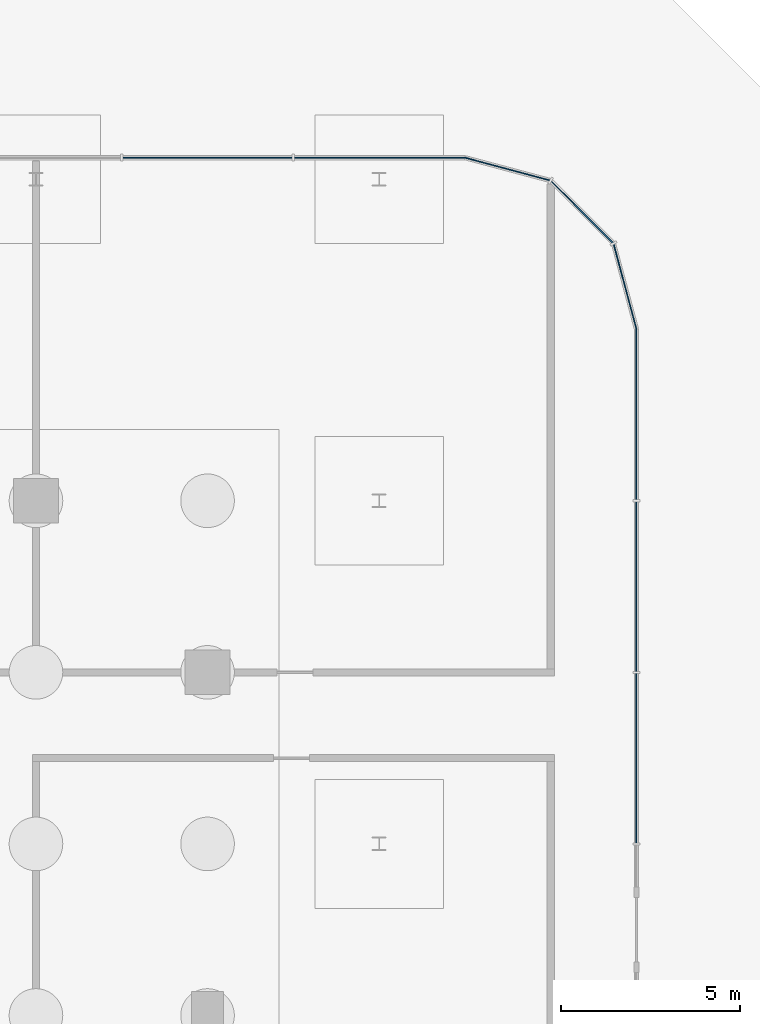
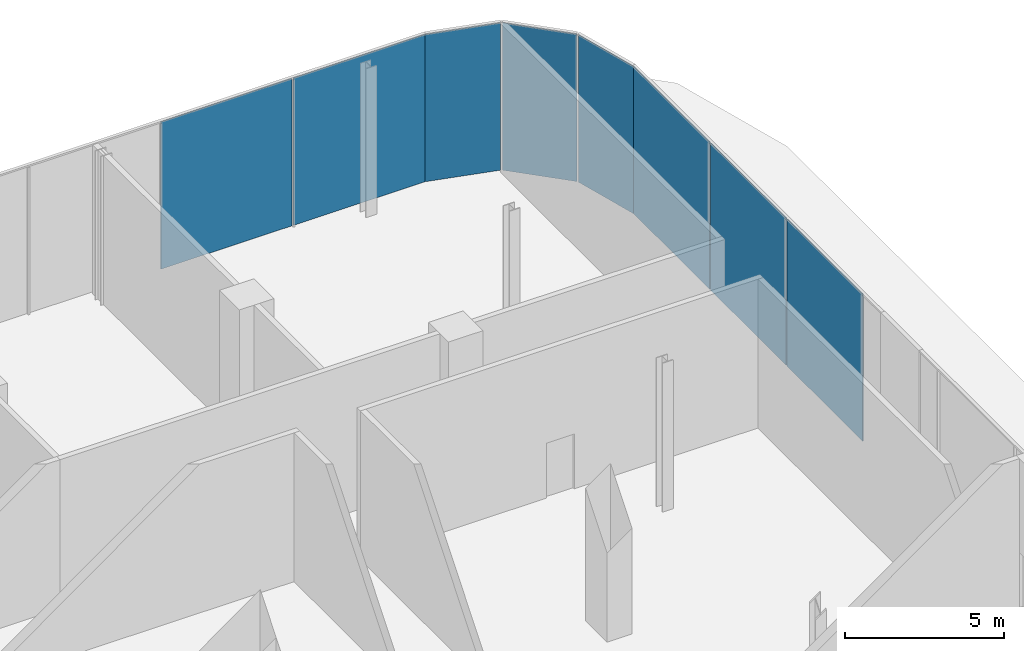
# One storey, part 28 of 44: 8 plates, 3 elements without a shape of their own.
"""IFC4 building model written with IfcOpenShell, lengths in metres."""

from ifc_helpers import new_model, si_unit, direction, frame, origin, origin_2d, place, context, subcontext, project, spatial, rectangle, extrude, material, layer, layer_set, type_object, element, aggregate, save


model = new_model("IFC4")

# Units and contexts
model_context = context("Model", 3, precision=1e-05, world=origin(), true_north=direction((0.0, 1.0)))
body_context = subcontext(model_context, "Body", "Model", "MODEL_VIEW")
ifc_project = project(units=[si_unit("LENGTHUNIT", "METRE"), si_unit("AREAUNIT", "SQUARE_METRE"), si_unit("VOLUMEUNIT", "CUBIC_METRE"), si_unit("PLANEANGLEUNIT", "RADIAN"), si_unit("MASSUNIT", "GRAM", prefix="KILO")], contexts=[model_context])

# Site, building, storey
site_placement = place(None, origin())
site = spatial("IfcSite", under=ifc_project, at=site_placement, CompositionType="ELEMENT")
building_placement = place(site_placement, origin())
building = spatial("IfcBuilding", under=site, at=building_placement, Name="Madar Terraces", CompositionType="ELEMENT")
storey_placement = place(building_placement, origin())
storey = spatial("IfcBuildingStorey", under=building, at=storey_placement, Name="L00", CompositionType="ELEMENT", Elevation=0.0)

# Curtain wall, plates
ifc_material_1 = material(Name="Glass, clear low-iron, with black aluminium frame", Category="aluminium")
ifc_layer_1 = layer(ifc_material_1, 0.199951171875)
ifc_layer_set_1 = layer_set([ifc_layer_1], Name="Facade curtain wall, shopfront glazing")
curtain_wall_type = type_object("IfcCurtainWallType", Name="Facade curtain wall, shopfront glazing", PredefinedType="NOTDEFINED", material=ifc_layer_set_1)
curtain_wall_1_placement = place(storey_placement, origin())
curtain_wall_1 = element("IfcCurtainWall", 1, at=curtain_wall_1_placement, inside=storey, type_object=curtain_wall_type, Name="Outer skin curtain wall east bay 1", PredefinedType="NOTDEFINED")
ifc_material_2 = material(Name="Glass, ceramic frit dark grey", Category="glass")
ifc_layer_2 = layer(ifc_material_2, 0.028076171875)
ifc_layer_set_2 = layer_set([ifc_layer_2], Name="Facade glass panel 28")
plate_type = type_object("IfcPlateType", Name="Facade glass panel 28", PredefinedType="CURTAIN_PANEL", material=ifc_layer_set_2)
plate_1_placement = place(storey_placement, frame((69.60009765625, 40.800048828125, 0.0), z_axis=(0.0, 0.0, 1.0), x_axis=(0.0, 1.0, 0.0)))
plate_1 = element("IfcPlate", 2, at=plate_1_placement, type_object=plate_type, Name="Panel 21", PredefinedType="CURTAIN_PANEL", context=body_context, shape_type="SweptSolid", body=[
    extrude(rectangle(XDim=4.739990234375, YDim=0.028076171875, at=origin_2d()), origin(), (0.0, 0.0, 1.0), 5.639892578125),
])
plate_2_placement = place(storey_placement, frame((69.60009765625, 45.60009765625, 0.0), z_axis=(0.0, 0.0, 1.0), x_axis=(0.0, 1.0, 0.0)))
plate_2 = element("IfcPlate", 3, at=plate_2_placement, type_object=plate_type, Name="Panel 22", PredefinedType="CURTAIN_PANEL", context=body_context, shape_type="SweptSolid", body=[
    extrude(rectangle(XDim=4.739990234375, YDim=0.028076171875, at=origin_2d()), origin(), (0.0, 0.0, 1.0), 5.639892578125),
])
plate_3_placement = place(storey_placement, frame((69.60009765625, 50.4150390625, 0.0), z_axis=(0.0, 0.0, 1.0), x_axis=(0.0, 1.0, 0.0)))
plate_3 = element("IfcPlate", 4, at=plate_3_placement, type_object=plate_type, Name="Panel 23", PredefinedType="CURTAIN_PANEL", context=body_context, shape_type="SweptSolid", body=[
    extrude(rectangle(XDim=4.77001953125, YDim=0.028076171875, at=origin_2d()), origin(), (0.0, 0.0, 1.0), 5.639892578125),
])
aggregate(curtain_wall_1, [plate_1, plate_2, plate_3])

curtain_wall_2_placement = place(storey_placement, origin())
curtain_wall_2 = element("IfcCurtainWall", 5, at=curtain_wall_2_placement, inside=storey, type_object=curtain_wall_type, Name="Outer skin curtain wall north bay 1", PredefinedType="NOTDEFINED")
plate_4_placement = place(storey_placement, frame((62.4150390625, 57.60009765625, 0.0), z_axis=(0.0, 0.0, 1.0), x_axis=(-1.0, 0.0, 0.0)))
plate_4 = element("IfcPlate", 6, at=plate_4_placement, type_object=plate_type, Name="Panel 1", PredefinedType="CURTAIN_PANEL", context=body_context, shape_type="SweptSolid", body=[
    extrude(rectangle(XDim=4.77001953125, YDim=0.028076171875, at=origin_2d()), origin(), (0.0, 0.0, 1.0), 5.639892578125),
])
plate_5_placement = place(storey_placement, frame((57.60009765625, 57.60009765625, 0.0), z_axis=(0.0, 0.0, 1.0), x_axis=(-1.0, 0.0, 0.0)))
plate_5 = element("IfcPlate", 7, at=plate_5_placement, type_object=plate_type, Name="Panel 2", PredefinedType="CURTAIN_PANEL", context=body_context, shape_type="SweptSolid", body=[
    extrude(rectangle(XDim=4.739990234375, YDim=0.028076171875, at=origin_2d()), origin(), (0.0, 0.0, 1.0), 5.639892578125),
])
aggregate(curtain_wall_2, [plate_4, plate_5])

curtain_wall_3_placement = place(storey_placement, origin())
curtain_wall_3 = element("IfcCurtainWall", 8, at=curtain_wall_3_placement, inside=storey, type_object=curtain_wall_type, Name="Outer skin curtain wall north-east corner", PredefinedType="NOTDEFINED")
plate_6_placement = place(storey_placement, frame((69.2822265625, 53.985595703125, 0.0), z_axis=(0.0, 0.0, 1.0), x_axis=(-0.258819021888, 0.965925832509, 0.0)))
plate_6 = element("IfcPlate", 9, at=plate_6_placement, type_object=plate_type, Name="Panel 1", PredefinedType="CURTAIN_PANEL", context=body_context, shape_type="SweptSolid", body=[
    extrude(rectangle(XDim=2.45458984375, YDim=0.028076171875, at=origin_2d()), origin(), (0.0, 0.0, 1.0), 5.639892578125),
])
plate_7_placement = place(storey_placement, frame((68.078369140625, 56.078369140625, 0.0), z_axis=(0.0, 0.0, 1.0), x_axis=(-0.707106781187, 0.707106781187, 0.0)))
plate_7 = element("IfcPlate", 10, at=plate_7_placement, type_object=plate_type, Name="Panel 2", PredefinedType="CURTAIN_PANEL", context=body_context, shape_type="SweptSolid", body=[
    extrude(rectangle(XDim=2.424560546875, YDim=0.028076171875, at=origin_2d()), origin(), (0.0, 0.0, 1.0), 5.639892578125),
])
plate_8_placement = place(storey_placement, frame((65.985595703125, 57.2822265625, 0.0), z_axis=(0.0, 0.0, 1.0), x_axis=(-0.965925832509, 0.258819021888, 0.0)))
plate_8 = element("IfcPlate", 11, at=plate_8_placement, type_object=plate_type, Name="Panel 3", PredefinedType="CURTAIN_PANEL", context=body_context, shape_type="SweptSolid", body=[
    extrude(rectangle(XDim=2.45458984375, YDim=0.028076171875, at=origin_2d()), origin(), (0.0, 0.0, 1.0), 5.639892578125),
])
aggregate(curtain_wall_3, [plate_6, plate_7, plate_8])

save(model, "model.ifc")
